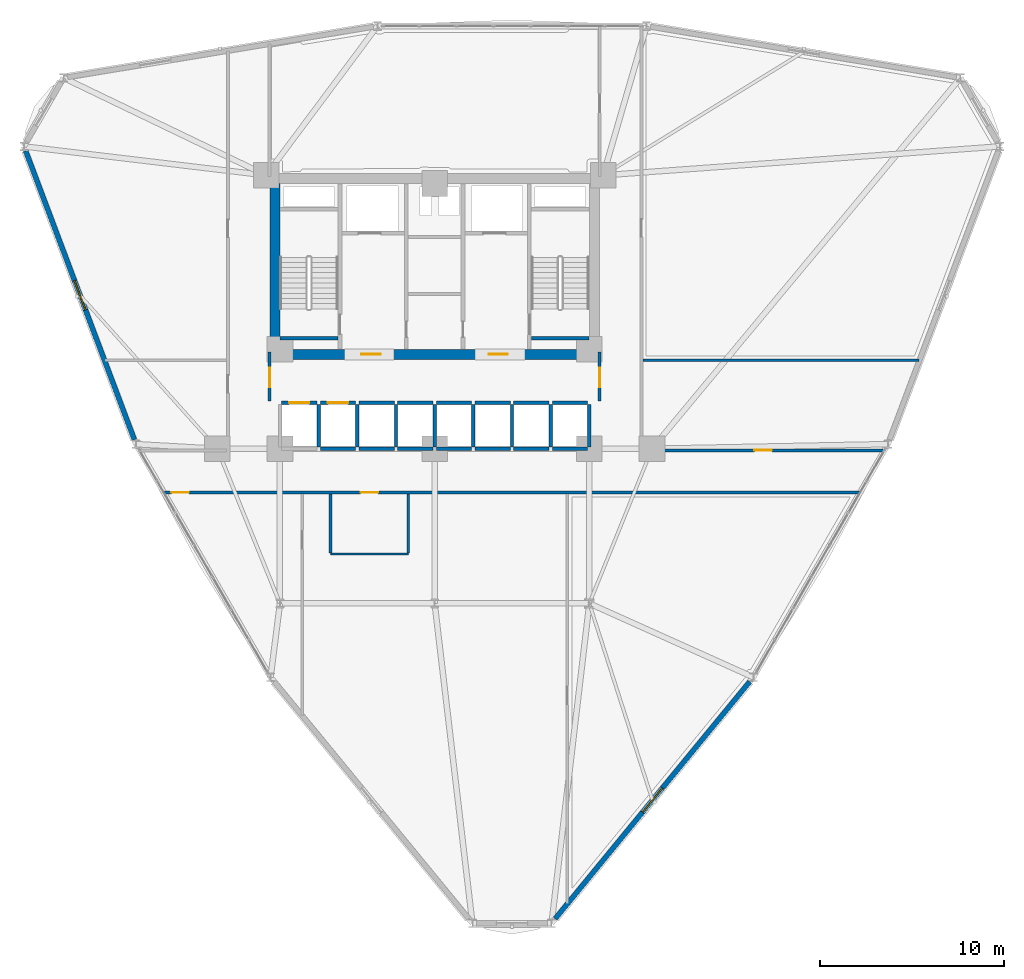
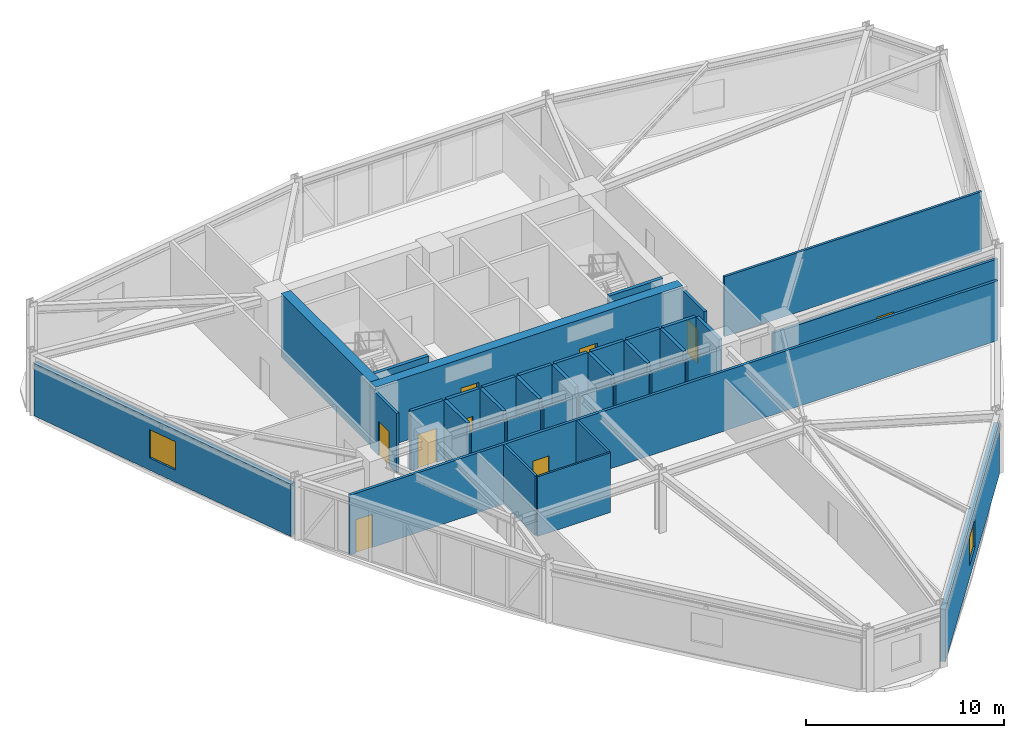
# One storey, part 14 of 20: 37 walls, 9 doors, 2 windows, 11 openings.
"""IFC4 building model written with IfcOpenShell, lengths in metres."""

from ifc_helpers import new_model, si_unit, derived_unit, direction, frame, frame_2d, origin, place, context, subcontext, project, spatial, rectangle, extrude, material, layer, layer_set, type_object, element, fill, save


model = new_model("IFC4")

# Units and contexts
model_context = context("Model", 3, precision=1e-05, world=origin(), true_north=direction((0.0, 1.0)))
body_context = subcontext(model_context, "Body", "Model", "MODEL_VIEW")
ifc_project = project(units=[si_unit("LENGTHUNIT", "METRE"), si_unit("AREAUNIT", "SQUARE_METRE"), si_unit("VOLUMEUNIT", "CUBIC_METRE"), si_unit("PLANEANGLEUNIT", "RADIAN"), si_unit("MASSUNIT", "GRAM", prefix="KILO"), derived_unit("THERMALTRANSMITTANCEUNIT", [(si_unit("POWERUNIT", "WATT"), 1), (si_unit("LENGTHUNIT", "METRE"), -2), (si_unit("THERMODYNAMICTEMPERATUREUNIT", "KELVIN"), -1)])], contexts=[model_context])

# Site, building, storey
site_placement = place(None, origin())
site = spatial("IfcSite", under=ifc_project, at=site_placement, CompositionType="ELEMENT")
building_placement = place(site_placement, origin())
building = spatial("IfcBuilding", under=site, at=building_placement, Name="Korsvarv Bourse and Concert Hall", CompositionType="ELEMENT")
storey_placement = place(building_placement, frame((0.0, 0.0, 91.199951171875)))
storey = spatial("IfcBuildingStorey", under=building, at=storey_placement, Name="L22", CompositionType="ELEMENT", Elevation=91.199951171875)

# Walls
ifc_material_1 = material(Name="Concrete C50/60", Category="concrete")
ifc_layer_1 = layer(ifc_material_1, 0.3798828125)
ifc_layer_set_1 = layer_set([ifc_layer_1], Name="Concrete C50/60")
wall_type_1 = type_object("IfcWallType", Name="WL-CORE-380", PredefinedType="SHEAR", material=ifc_layer_set_1)
for number, where, z_axis, x_axis, name in (
    (1, (27.610107421875, 38.39990234375, 0.0), (0.0, 0.0, 1.0), (1.0, 0.0, 0.0), "L22 stair shaft structural wall W-L22-ST1-S"),
    (2, (41.25, 38.39990234375, 0.0), (0.0, 0.0, 1.0), (1.0, 0.0, 0.0), "L22 stair shaft structural wall W-L22-ST2-S"),
):
    element("IfcWall", number, at=place(storey_placement, frame(where, z_axis=z_axis, x_axis=x_axis)), inside=storey, type_object=wall_type_1, Name=name, PredefinedType="SHEAR", context=body_context, shape_type="SweptSolid", body=[
        extrude(rectangle(XDim=3.139892578125, YDim=0.199951171875, at=frame_2d((1.56982421875, 0.0))), origin(), (0.0, 0.0, 1.0), 3.900146484375),
    ])

# Wall, openings, doors
ifc_material_2 = material(Name="Concrete C60/75", Category="concrete")
ifc_layer_2 = layer(ifc_material_2, 0.550048828125)
ifc_layer_set_2 = layer_set([ifc_layer_2], Name="Concrete C60/75")
wall_type_2 = type_object("IfcWallType", Name="WL-CORE-550", PredefinedType="SHEAR", material=ifc_layer_set_2)
wall_1_placement = place(storey_placement, frame((27.050048828125, 37.52490234375, 0.0), z_axis=(0.0, 0.0, 1.0), x_axis=(1.0, 0.0, 0.0)))
wall_1 = element("IfcWall", 3, at=wall_1_placement, inside=storey, type_object=wall_type_2, Name="L22 South Core Shear Wall", PredefinedType="SHEAR", context=body_context, shape_type="SweptSolid", body=[
    extrude(rectangle(XDim=17.89990234375, YDim=0.550048828125, at=frame_2d((8.949951171875, 0.0))), origin(), (0.0, 0.0, 1.0), 3.900146484375),
])
opening_1_placement = place(wall_1_placement, frame((4.97509765625, 0.0, 0.0)))
opening_1 = element("IfcOpeningElement", 4, at=opening_1_placement, cuts=wall_1, Name="Opening D-01", PredefinedType="OPENING", context=body_context, shape_type="SweptSolid", body=[
    extrude(rectangle(XDim=1.050048828125, YDim=2.10009765625, at=frame_2d((0.52490234375, 1.050048828125))), frame((0.0, 0.28515625, 0.0), z_axis=(0.0, -1.0, 0.0), x_axis=(1.0, 0.0, 0.0)), (0.0, 0.0, 1.0), 0.570068359375),
])
opening_2_placement = place(wall_1_placement, frame((11.875, 0.0, 0.0)))
opening_2 = element("IfcOpeningElement", 5, at=opening_2_placement, cuts=wall_1, Name="Opening D-01", PredefinedType="OPENING", context=body_context, shape_type="SweptSolid", body=[
    extrude(rectangle(XDim=1.050048828125, YDim=2.10009765625, at=frame_2d((0.52490234375, 1.050048828125))), frame((0.0, 0.28515625, 0.0), z_axis=(0.0, -1.0, 0.0), x_axis=(1.0, 0.0, 0.0)), (0.0, 0.0, 1.0), 0.570068359375),
])
ifc_material_3 = material(Name="Steel S355 fire door", Category="steel")
door_type_1 = type_object("IfcDoorType", Name="DR-FD60", OperationType="NOTDEFINED", PredefinedType="DOOR", material=ifc_material_3)
door_1_placement = place(opening_1_placement, frame((1.050048828125, 0.0, 0.0), z_axis=(0.0, 0.0, 1.0), x_axis=(-1.0, 0.0, 0.0)))
door_1 = element("IfcDoor", 6, at=door_1_placement, inside=storey, type_object=door_type_1, Name="L22 firefighting lobby fire door DR-L22-FFLW", OperationType="SINGLE_SWING_LEFT", OverallHeight=2.10009765625, OverallWidth=1.050048828125, PredefinedType="DOOR", context=body_context, shape_type="SweptSolid", body=[
    extrude(rectangle(XDim=1.050048828125, YDim=2.10009765625, at=frame_2d((0.52490234375, 1.050048828125))), frame((0.0, 0.02490234375, 0.0), z_axis=(0.0, -1.0, 0.0), x_axis=(1.0, 0.0, 0.0)), (0.0, 0.0, 1.0), 0.050048828125),
])
fill(opening_1, door_1)
door_2_placement = place(opening_2_placement, frame((1.050048828125, 0.0, 0.0), z_axis=(0.0, 0.0, 1.0), x_axis=(-1.0, 0.0, 0.0)))
door_2 = element("IfcDoor", 7, at=door_2_placement, inside=storey, type_object=door_type_1, Name="L22 firefighting lobby fire door DR-L22-FFLE", OperationType="SINGLE_SWING_RIGHT", OverallHeight=2.10009765625, OverallWidth=1.050048828125, PredefinedType="DOOR", context=body_context, shape_type="SweptSolid", body=[
    extrude(rectangle(XDim=1.050048828125, YDim=2.10009765625, at=frame_2d((0.52490234375, 1.050048828125))), frame((0.0, 0.02490234375, 0.0), z_axis=(0.0, -1.0, 0.0), x_axis=(1.0, 0.0, 0.0)), (0.0, 0.0, 1.0), 0.050048828125),
])
fill(opening_2, door_2)

# Wall
wall_2_placement = place(storey_placement, frame((27.324951171875, 37.800048828125, 0.0), z_axis=(0.0, 0.0, 1.0), x_axis=(0.0, 1.0, 0.0)))
element("IfcWall", 8, at=wall_2_placement, inside=storey, type_object=wall_type_2, Name="L22 West Core Shear Wall", PredefinedType="SHEAR", context=body_context, shape_type="SweptSolid", body=[
    extrude(rectangle(XDim=9.0, YDim=0.550048828125, at=frame_2d((4.5, 0.0))), origin(), (0.0, 0.0, 1.0), 3.900146484375),
])

# Wall, opening, window
ifc_material_4 = material(Name="Precast concrete C45/55 with fluted terracotta pier", Category="concrete")
ifc_layer_3 = layer(ifc_material_4, 0.280029296875)
ifc_layer_set_3 = layer_set([ifc_layer_3], Name="Precast concrete C45/55 with fluted terracotta pier")
wall_type_3 = type_object("IfcWallType", Name="WL-EXT-TC2", PredefinedType="SOLIDWALL", material=ifc_layer_set_3)
wall_3_placement = place(storey_placement, frame((13.7861328125, 48.577392578125, 0.0), z_axis=(0.0, 0.0, 1.0), x_axis=(0.352279020809, -0.935895021622, 0.0)))
wall_3 = element("IfcWall", 9, at=wall_3_placement, inside=storey, type_object=wall_type_3, Name="L22 terracotta exterior wall EW-L22-B06", PredefinedType="SOLIDWALL", context=body_context, shape_type="SweptSolid", body=[
    extrude(rectangle(XDim=16.7587890625, YDim=0.280029296875, at=frame_2d((8.37939453125, 0.0))), origin(), (0.0, 0.0, 1.0), 3.22998046875),
])
opening_3_placement = place(wall_3_placement, frame((7.529541015625, 0.0, 0.75)))
opening_3 = element("IfcOpeningElement", 10, at=opening_3_placement, cuts=wall_3, Name="Opening W-01", PredefinedType="OPENING", context=body_context, shape_type="SweptSolid", body=[
    extrude(rectangle(XDim=1.699951171875, YDim=1.75, at=frame_2d((0.85009765625, 0.875))), frame((0.0, 0.14990234375, 0.0), z_axis=(0.0, -1.0, 0.0), x_axis=(1.0, 0.0, 0.0)), (0.0, 0.0, 1.0), 0.300048828125),
])
ifc_material_5 = material(Name="Thermally broken aluminium frame with triple low-E glass", Category="glass")
window_type = type_object("IfcWindowType", Name="WIN-TW1", PartitioningType="SINGLE_PANEL", PredefinedType="WINDOW", material=ifc_material_5)
window_1_placement = place(opening_3_placement, origin())
window_1 = element("IfcWindow", 11, at=window_1_placement, inside=storey, type_object=window_type, Name="L22 punched facade window W-01", OverallHeight=1.75, OverallWidth=1.699951171875, PartitioningType="SINGLE_PANEL", PredefinedType="WINDOW", context=body_context, shape_type="SweptSolid", body=[
    extrude(rectangle(XDim=1.699951171875, YDim=1.75, at=frame_2d((0.85009765625, 0.875))), frame((0.0, 0.030029296875, 0.0), z_axis=(0.0, -1.0, 0.0), x_axis=(1.0, 0.0, 0.0)), (0.0, 0.0, 1.0), 0.06005859375),
])
fill(opening_3, window_1)

wall_4_placement = place(storey_placement, frame((42.549072265625, 6.87841796875, 0.0), z_axis=(0.0, 0.0, 1.0), x_axis=(0.634372560511, 0.77302746036, 0.0)))
wall_4 = element("IfcWall", 12, at=wall_4_placement, inside=storey, type_object=wall_type_3, Name="L22 terracotta exterior wall EW-L22-B10", PredefinedType="SOLIDWALL", context=body_context, shape_type="SweptSolid", body=[
    extrude(rectangle(XDim=16.64990234375, YDim=0.280029296875, at=frame_2d((8.324951171875, 0.0))), origin(), (0.0, 0.0, 1.0), 3.22998046875),
])
opening_4_placement = place(wall_4_placement, frame((7.47509765625, 0.0, 0.75)))
opening_4 = element("IfcOpeningElement", 13, at=opening_4_placement, cuts=wall_4, Name="Opening W-01", PredefinedType="OPENING", context=body_context, shape_type="SweptSolid", body=[
    extrude(rectangle(XDim=1.699951171875, YDim=1.75, at=frame_2d((0.85009765625, 0.875))), frame((0.0, 0.14990234375, 0.0), z_axis=(0.0, -1.0, 0.0), x_axis=(1.0, 0.0, 0.0)), (0.0, 0.0, 1.0), 0.300048828125),
])
window_2_placement = place(opening_4_placement, origin())
window_2 = element("IfcWindow", 14, at=window_2_placement, inside=storey, type_object=window_type, Name="L22 punched facade window W-01", OverallHeight=1.75, OverallWidth=1.699951171875, PartitioningType="SINGLE_PANEL", PredefinedType="WINDOW", context=body_context, shape_type="SweptSolid", body=[
    extrude(rectangle(XDim=1.699951171875, YDim=1.75, at=frame_2d((0.85009765625, 0.875))), frame((0.0, 0.030029296875, 0.0), z_axis=(0.0, -1.0, 0.0), x_axis=(1.0, 0.0, 0.0)), (0.0, 0.0, 1.0), 0.06005859375),
])
fill(opening_4, window_2)

# Wall, opening, door
ifc_material_6 = material(Name="Double-stud fire-rated acoustic partition", Category="gypsum")
ifc_layer_4 = layer(ifc_material_6, 0.159912109375)
ifc_layer_set_4 = layer_set([ifc_layer_4], Name="Double-stud fire-rated acoustic partition")
wall_type_4 = type_object("IfcWallType", Name="WL-INT-EI60", PredefinedType="PARTITIONING", material=ifc_layer_set_4)
wall_5_placement = place(storey_placement, frame((27.0400390625, 35.0, 0.0), z_axis=(0.0, 0.0, 1.0), x_axis=(0.0, 1.0, 0.0)))
wall_5 = element("IfcWall", 15, at=wall_5_placement, inside=storey, type_object=wall_type_4, Name="L22 interior partition wall W-L22-LOB-W", PredefinedType="PARTITIONING", context=body_context, shape_type="SweptSolid", body=[
    extrude(rectangle(XDim=2.64990234375, YDim=0.159912109375, at=frame_2d((1.324951171875, 0.0))), origin(), (0.0, 0.0, 1.0), 3.679931640625),
])
opening_5_placement = place(wall_5_placement, frame((0.75, 0.0, 0.0)))
opening_5 = element("IfcOpeningElement", 16, at=opening_5_placement, cuts=wall_5, Name="Opening D-01", PredefinedType="OPENING", context=body_context, shape_type="SweptSolid", body=[
    extrude(rectangle(XDim=1.050048828125, YDim=2.10009765625, at=frame_2d((0.52490234375, 1.050048828125))), frame((0.0, 0.08984375, 0.0), z_axis=(0.0, -1.0, 0.0), x_axis=(1.0, 0.0, 0.0)), (0.0, 0.0, 1.0), 0.179931640625),
])
door_3_placement = place(opening_5_placement, frame((1.050048828125, 0.0, 0.0), z_axis=(0.0, 0.0, 1.0), x_axis=(-1.0, 0.0, 0.0)))
door_3 = element("IfcDoor", 17, at=door_3_placement, inside=storey, type_object=door_type_1, Name="L22 interior door DR-L22-LOBW", OperationType="SINGLE_SWING_RIGHT", OverallHeight=2.10009765625, OverallWidth=1.050048828125, PredefinedType="DOOR", context=body_context, shape_type="SweptSolid", body=[
    extrude(rectangle(XDim=1.050048828125, YDim=2.10009765625, at=frame_2d((0.52490234375, 1.050048828125))), frame((0.0, 0.02490234375, 0.0), z_axis=(0.0, -1.0, 0.0), x_axis=(1.0, 0.0, 0.0)), (0.0, 0.0, 1.0), 0.050048828125),
])
fill(opening_5, door_3)

wall_6_placement = place(storey_placement, frame((44.9599609375, 35.0, 0.0), z_axis=(0.0, 0.0, 1.0), x_axis=(0.0, 1.0, 0.0)))
wall_6 = element("IfcWall", 18, at=wall_6_placement, inside=storey, type_object=wall_type_4, Name="L22 interior partition wall W-L22-LOB-E", PredefinedType="PARTITIONING", context=body_context, shape_type="SweptSolid", body=[
    extrude(rectangle(XDim=2.64990234375, YDim=0.159912109375, at=frame_2d((1.324951171875, 0.0))), origin(), (0.0, 0.0, 1.0), 3.679931640625),
])
opening_6_placement = place(wall_6_placement, frame((0.75, 0.0, 0.0)))
opening_6 = element("IfcOpeningElement", 19, at=opening_6_placement, cuts=wall_6, Name="Opening D-01", PredefinedType="OPENING", context=body_context, shape_type="SweptSolid", body=[
    extrude(rectangle(XDim=1.050048828125, YDim=2.10009765625, at=frame_2d((0.52490234375, 1.050048828125))), frame((0.0, 0.08984375, 0.0), z_axis=(0.0, -1.0, 0.0), x_axis=(1.0, 0.0, 0.0)), (0.0, 0.0, 1.0), 0.179931640625),
])
door_4_placement = place(opening_6_placement, origin())
door_4 = element("IfcDoor", 20, at=door_4_placement, inside=storey, type_object=door_type_1, Name="L22 interior door DR-L22-LOBE", OperationType="SINGLE_SWING_LEFT", OverallHeight=2.10009765625, OverallWidth=1.050048828125, PredefinedType="DOOR", context=body_context, shape_type="SweptSolid", body=[
    extrude(rectangle(XDim=1.050048828125, YDim=2.10009765625, at=frame_2d((0.52490234375, 1.050048828125))), frame((0.0, 0.02490234375, 0.0), z_axis=(0.0, -1.0, 0.0), x_axis=(1.0, 0.0, 0.0)), (0.0, 0.0, 1.0), 0.050048828125),
])
fill(opening_6, door_4)

# Wall, openings, doors
wall_7_placement = place(storey_placement, frame((21.317138671875, 30.02490234375, 0.0), z_axis=(0.0, 0.0, 1.0), x_axis=(1.0, 0.0, 0.0)))
wall_7 = element("IfcWall", 21, at=wall_7_placement, inside=storey, type_object=wall_type_4, Name="L22 interior partition wall W-L22-TCOR-01", PredefinedType="PARTITIONING", context=body_context, shape_type="SweptSolid", body=[
    extrude(rectangle(XDim=37.765625, YDim=0.159912109375, at=frame_2d((18.8828125, 0.0))), origin(), (0.0, 0.0, 1.0), 3.679931640625),
])
opening_7_placement = place(wall_7_placement, frame((10.667724609375, 0.0, 0.0)))
opening_7 = element("IfcOpeningElement", 22, at=opening_7_placement, cuts=wall_7, Name="Opening D-02", PredefinedType="OPENING", context=body_context, shape_type="SweptSolid", body=[
    extrude(rectangle(XDim=0.949951171875, YDim=2.050048828125, at=frame_2d((0.47509765625, 1.02490234375))), frame((0.0, 0.08984375, 0.0), z_axis=(0.0, -1.0, 0.0), x_axis=(1.0, 0.0, 0.0)), (0.0, 0.0, 1.0), 0.179931640625),
])
opening_8_placement = place(wall_7_placement, frame((0.3798828125, 0.0, 0.0)))
opening_8 = element("IfcOpeningElement", 23, at=opening_8_placement, cuts=wall_7, Name="Opening D-02", PredefinedType="OPENING", context=body_context, shape_type="SweptSolid", body=[
    extrude(rectangle(XDim=0.949951171875, YDim=2.050048828125, at=frame_2d((0.47509765625, 1.02490234375))), frame((0.0, 0.08984375, 0.0), z_axis=(0.0, -1.0, 0.0), x_axis=(1.0, 0.0, 0.0)), (0.0, 0.0, 1.0), 0.179931640625),
])
ifc_material_7 = material(Name="Timber and steel acoustic fire door", Category="wood")
door_type_2 = type_object("IfcDoorType", Name="DR-FD30", OperationType="NOTDEFINED", PredefinedType="DOOR", material=ifc_material_7)
door_5_placement = place(opening_7_placement, origin())
door_5 = element("IfcDoor", 24, at=door_5_placement, inside=storey, type_object=door_type_2, Name="L22 interior door DR-L22-TCOR-RWC", OperationType="SINGLE_SWING_RIGHT", OverallHeight=2.050048828125, OverallWidth=0.949951171875, PredefinedType="DOOR", context=body_context, shape_type="SweptSolid", body=[
    extrude(rectangle(XDim=0.949951171875, YDim=2.050048828125, at=frame_2d((0.47509765625, 1.02490234375))), frame((0.0, 0.02490234375, 0.0), z_axis=(0.0, -1.0, 0.0), x_axis=(1.0, 0.0, 0.0)), (0.0, 0.0, 1.0), 0.050048828125),
])
fill(opening_7, door_5)
door_6_placement = place(opening_8_placement, origin())
door_6 = element("IfcDoor", 25, at=door_6_placement, inside=storey, type_object=door_type_2, Name="L22 interior door DR-L22-TCOR-R023", OperationType="SINGLE_SWING_LEFT", OverallHeight=2.050048828125, OverallWidth=0.949951171875, PredefinedType="DOOR", context=body_context, shape_type="SweptSolid", body=[
    extrude(rectangle(XDim=0.949951171875, YDim=2.050048828125, at=frame_2d((0.47509765625, 1.02490234375))), frame((0.0, 0.02490234375, 0.0), z_axis=(0.0, -1.0, 0.0), x_axis=(1.0, 0.0, 0.0)), (0.0, 0.0, 1.0), 0.050048828125),
])
fill(opening_8, door_6)

# Wall, opening, door
wall_8_placement = place(storey_placement, frame((47.306884765625, 32.31494140625, 0.0), z_axis=(0.0, 0.0, 1.0), x_axis=(1.0, 0.0, 0.0)))
wall_8 = element("IfcWall", 26, at=wall_8_placement, inside=storey, type_object=wall_type_4, Name="L22 interior partition wall W-L22-TCOR-04", PredefinedType="PARTITIONING", context=body_context, shape_type="SweptSolid", body=[
    extrude(rectangle(XDim=13.09814453125, YDim=0.159912109375, at=frame_2d((6.549072265625, 0.0))), origin(), (0.0, 0.0, 1.0), 3.179931640625),
])
opening_9_placement = place(wall_8_placement, frame((6.059814453125, 0.0, 0.0)))
opening_9 = element("IfcOpeningElement", 27, at=opening_9_placement, cuts=wall_8, Name="Opening D-02", PredefinedType="OPENING", context=body_context, shape_type="SweptSolid", body=[
    extrude(rectangle(XDim=0.949951171875, YDim=2.050048828125, at=frame_2d((0.47509765625, 1.02490234375))), frame((0.0, 0.08984375, 0.0), z_axis=(0.0, -1.0, 0.0), x_axis=(1.0, 0.0, 0.0)), (0.0, 0.0, 1.0), 0.179931640625),
])
door_7_placement = place(opening_9_placement, origin())
door_7 = element("IfcDoor", 28, at=door_7_placement, inside=storey, type_object=door_type_2, Name="L22 interior door DR-L22-TCOR-R061", OperationType="SINGLE_SWING_LEFT", OverallHeight=2.050048828125, OverallWidth=0.949951171875, PredefinedType="DOOR", context=body_context, shape_type="SweptSolid", body=[
    extrude(rectangle(XDim=0.949951171875, YDim=2.050048828125, at=frame_2d((0.47509765625, 1.02490234375))), frame((0.0, 0.02490234375, 0.0), z_axis=(0.0, -1.0, 0.0), x_axis=(1.0, 0.0, 0.0)), (0.0, 0.0, 1.0), 0.050048828125),
])
fill(opening_9, door_7)

ifc_material_8 = material(Name="Gypsum-clad autoclaved concrete shaft wall C30/37", Category="concrete")
ifc_layer_5 = layer(ifc_material_8, 0.179931640625)
ifc_layer_set_5 = layer_set([ifc_layer_5], Name="Gypsum-clad autoclaved concrete shaft wall C30/37")
wall_type_5 = type_object("IfcWallType", Name="WL-INT-EI90", PredefinedType="PARTITIONING", material=ifc_layer_set_5)
wall_9_placement = place(storey_placement, frame((27.68994140625, 34.89990234375, 0.0), z_axis=(0.0, 0.0, 1.0), x_axis=(1.0, 0.0, 0.0)))
wall_9 = element("IfcWall", 29, at=wall_9_placement, inside=storey, type_object=wall_type_5, Name="L22 interior partition wall W-L22-SHFN-PL1", PredefinedType="PARTITIONING", context=body_context, shape_type="SweptSolid", body=[
    extrude(rectangle(XDim=1.920166015625, YDim=0.179931640625, at=frame_2d((0.9599609375, 0.0))), origin(), (0.0, 0.0, 1.0), 3.679931640625),
])
opening_10_placement = place(wall_9_placement, frame((0.409912109375, 0.0, 0.0)))
opening_10 = element("IfcOpeningElement", 30, at=opening_10_placement, cuts=wall_9, Name="Opening LD-2", PredefinedType="OPENING", context=body_context, shape_type="SweptSolid", body=[
    extrude(rectangle(XDim=1.10009765625, YDim=2.10009765625, at=frame_2d((0.550048828125, 1.050048828125))), frame((0.0, 0.10009765625, 0.0), z_axis=(0.0, -1.0, 0.0), x_axis=(1.0, 0.0, 0.0)), (0.0, 0.0, 1.0), 0.199951171875),
])
ifc_material_9 = material(Name="Brushed stainless Steel S355 lift landing door", Category="steel")
door_type_3 = type_object("IfcDoorType", Name="DR-LIFT-P", OperationType="DOUBLE_DOOR_SLIDING", PredefinedType="DOOR", material=ifc_material_9)
door_8_placement = place(opening_10_placement, origin())
door_8 = element("IfcDoor", 31, at=door_8_placement, inside=storey, type_object=door_type_3, Name="L22 lift sliding landing door LD-L22-PL1", OperationType="DOUBLE_DOOR_SLIDING", OverallHeight=2.10009765625, OverallWidth=1.10009765625, PredefinedType="DOOR", context=body_context, shape_type="SweptSolid", body=[
    extrude(rectangle(XDim=1.10009765625, YDim=2.10009765625, at=frame_2d((0.550048828125, 1.050048828125))), frame((0.0, 0.02490234375, 0.0), z_axis=(0.0, -1.0, 0.0), x_axis=(1.0, 0.0, 0.0)), (0.0, 0.0, 1.0), 0.050048828125),
])
fill(opening_10, door_8)

wall_10_placement = place(storey_placement, frame((29.7900390625, 34.89990234375, 0.0), z_axis=(0.0, 0.0, 1.0), x_axis=(1.0, 0.0, 0.0)))
wall_10 = element("IfcWall", 32, at=wall_10_placement, inside=storey, type_object=wall_type_5, Name="L22 interior partition wall W-L22-SHFN-PL2", PredefinedType="PARTITIONING", context=body_context, shape_type="SweptSolid", body=[
    extrude(rectangle(XDim=1.919921875, YDim=0.179931640625, at=frame_2d((0.9599609375, 0.0))), origin(), (0.0, 0.0, 1.0), 3.679931640625),
])
opening_11_placement = place(wall_10_placement, frame((0.409912109375, 0.0, 0.0)))
opening_11 = element("IfcOpeningElement", 33, at=opening_11_placement, cuts=wall_10, Name="Opening LD-2", PredefinedType="OPENING", context=body_context, shape_type="SweptSolid", body=[
    extrude(rectangle(XDim=1.10009765625, YDim=2.10009765625, at=frame_2d((0.550048828125, 1.050048828125))), frame((0.0, 0.10009765625, 0.0), z_axis=(0.0, -1.0, 0.0), x_axis=(1.0, 0.0, 0.0)), (0.0, 0.0, 1.0), 0.199951171875),
])
door_9_placement = place(opening_11_placement, origin())
door_9 = element("IfcDoor", 34, at=door_9_placement, inside=storey, type_object=door_type_3, Name="L22 lift sliding landing door LD-L22-PL2", OperationType="DOUBLE_DOOR_SLIDING", OverallHeight=2.10009765625, OverallWidth=1.10009765625, PredefinedType="DOOR", context=body_context, shape_type="SweptSolid", body=[
    extrude(rectangle(XDim=1.10009765625, YDim=2.10009765625, at=frame_2d((0.550048828125, 1.050048828125))), frame((0.0, 0.02490234375, 0.0), z_axis=(0.0, -1.0, 0.0), x_axis=(1.0, 0.0, 0.0)), (0.0, 0.0, 1.0), 0.050048828125),
])
fill(opening_11, door_9)

# Walls
wall_11_placement = place(storey_placement, frame((29.7900390625, 32.39990234375, 0.0), z_axis=(0.0, 0.0, 1.0), x_axis=(1.0, 0.0, 0.0)))
element("IfcWall", 35, at=wall_11_placement, inside=storey, type_object=wall_type_5, Name="L22 interior partition wall W-L22-SHFS-PL2", PredefinedType="PARTITIONING", context=body_context, shape_type="SweptSolid", body=[
    extrude(rectangle(XDim=1.919921875, YDim=0.179931640625, at=frame_2d((0.9599609375, 0.0))), origin(), (0.0, 0.0, 1.0), 3.179931640625),
])
wall_12_placement = place(storey_placement, frame((29.699951171875, 32.489990234375, 0.0), z_axis=(0.0, 0.0, 1.0), x_axis=(0.0, 1.0, 0.0)))
element("IfcWall", 36, at=wall_12_placement, inside=storey, type_object=wall_type_5, Name="L22 interior partition wall W-L22-SHFW-PL2", PredefinedType="PARTITIONING", context=body_context, shape_type="SweptSolid", body=[
    extrude(rectangle(XDim=2.320068359375, YDim=0.179931640625, at=frame_2d((1.16015625, 0.0))), origin(), (0.0, 0.0, 1.0), 3.679931640625),
])
wall_13_placement = place(storey_placement, frame((31.889892578125, 34.89990234375, 0.0), z_axis=(0.0, 0.0, 1.0), x_axis=(1.0, 0.0, 0.0)))
element("IfcWall", 37, at=wall_13_placement, inside=storey, type_object=wall_type_5, Name="L22 interior partition wall W-L22-SHFN-PM1", PredefinedType="PARTITIONING", context=body_context, shape_type="SweptSolid", body=[
    extrude(rectangle(XDim=1.920166015625, YDim=0.179931640625, at=frame_2d((0.9599609375, 0.0))), origin(), (0.0, 0.0, 1.0), 3.679931640625),
])
wall_14_placement = place(storey_placement, frame((31.889892578125, 32.39990234375, 0.0), z_axis=(0.0, 0.0, 1.0), x_axis=(1.0, 0.0, 0.0)))
element("IfcWall", 38, at=wall_14_placement, inside=storey, type_object=wall_type_5, Name="L22 interior partition wall W-L22-SHFS-PM1", PredefinedType="PARTITIONING", context=body_context, shape_type="SweptSolid", body=[
    extrude(rectangle(XDim=1.920166015625, YDim=0.179931640625, at=frame_2d((0.9599609375, 0.0))), origin(), (0.0, 0.0, 1.0), 3.179931640625),
])
wall_15_placement = place(storey_placement, frame((31.800048828125, 32.489990234375, 0.0), z_axis=(0.0, 0.0, 1.0), x_axis=(0.0, 1.0, 0.0)))
element("IfcWall", 39, at=wall_15_placement, inside=storey, type_object=wall_type_5, Name="L22 interior partition wall W-L22-SHFW-PM1", PredefinedType="PARTITIONING", context=body_context, shape_type="SweptSolid", body=[
    extrude(rectangle(XDim=2.320068359375, YDim=0.179931640625, at=frame_2d((1.16015625, 0.0))), origin(), (0.0, 0.0, 1.0), 3.679931640625),
])
wall_16_placement = place(storey_placement, frame((33.989990234375, 34.89990234375, 0.0), z_axis=(0.0, 0.0, 1.0), x_axis=(1.0, 0.0, 0.0)))
element("IfcWall", 40, at=wall_16_placement, inside=storey, type_object=wall_type_5, Name="L22 interior partition wall W-L22-SHFN-PM2", PredefinedType="PARTITIONING", context=body_context, shape_type="SweptSolid", body=[
    extrude(rectangle(XDim=1.919921875, YDim=0.179931640625, at=frame_2d((0.9599609375, 0.0))), origin(), (0.0, 0.0, 1.0), 3.679931640625),
])
wall_17_placement = place(storey_placement, frame((33.989990234375, 32.39990234375, 0.0), z_axis=(0.0, 0.0, 1.0), x_axis=(1.0, 0.0, 0.0)))
element("IfcWall", 41, at=wall_17_placement, inside=storey, type_object=wall_type_5, Name="L22 interior partition wall W-L22-SHFS-PM2", PredefinedType="PARTITIONING", context=body_context, shape_type="SweptSolid", body=[
    extrude(rectangle(XDim=1.919921875, YDim=0.179931640625, at=frame_2d((0.9599609375, 0.0))), origin(), (0.0, 0.0, 1.0), 3.179931640625),
])
wall_18_placement = place(storey_placement, frame((33.89990234375, 32.489990234375, 0.0), z_axis=(0.0, 0.0, 1.0), x_axis=(0.0, 1.0, 0.0)))
element("IfcWall", 42, at=wall_18_placement, inside=storey, type_object=wall_type_5, Name="L22 interior partition wall W-L22-SHFW-PM2", PredefinedType="PARTITIONING", context=body_context, shape_type="SweptSolid", body=[
    extrude(rectangle(XDim=2.320068359375, YDim=0.179931640625, at=frame_2d((1.16015625, 0.0))), origin(), (0.0, 0.0, 1.0), 3.679931640625),
])
wall_19_placement = place(storey_placement, frame((36.090087890625, 34.89990234375, 0.0), z_axis=(0.0, 0.0, 1.0), x_axis=(1.0, 0.0, 0.0)))
element("IfcWall", 43, at=wall_19_placement, inside=storey, type_object=wall_type_5, Name="L22 interior partition wall W-L22-SHFN-PH1", PredefinedType="PARTITIONING", context=body_context, shape_type="SweptSolid", body=[
    extrude(rectangle(XDim=1.919921875, YDim=0.179931640625, at=frame_2d((0.9599609375, 0.0))), origin(), (0.0, 0.0, 1.0), 3.679931640625),
])
wall_20_placement = place(storey_placement, frame((36.090087890625, 32.39990234375, 0.0), z_axis=(0.0, 0.0, 1.0), x_axis=(1.0, 0.0, 0.0)))
element("IfcWall", 44, at=wall_20_placement, inside=storey, type_object=wall_type_5, Name="L22 interior partition wall W-L22-SHFS-PH1", PredefinedType="PARTITIONING", context=body_context, shape_type="SweptSolid", body=[
    extrude(rectangle(XDim=1.919921875, YDim=0.179931640625, at=frame_2d((0.9599609375, 0.0))), origin(), (0.0, 0.0, 1.0), 3.179931640625),
])
wall_21_placement = place(storey_placement, frame((36.0, 32.489990234375, 0.0), z_axis=(0.0, 0.0, 1.0), x_axis=(0.0, 1.0, 0.0)))
element("IfcWall", 45, at=wall_21_placement, inside=storey, type_object=wall_type_5, Name="L22 interior partition wall W-L22-SHFW-PH1", PredefinedType="PARTITIONING", context=body_context, shape_type="SweptSolid", body=[
    extrude(rectangle(XDim=2.320068359375, YDim=0.179931640625, at=frame_2d((1.16015625, 0.0))), origin(), (0.0, 0.0, 1.0), 3.679931640625),
])
wall_22_placement = place(storey_placement, frame((38.18994140625, 34.89990234375, 0.0), z_axis=(0.0, 0.0, 1.0), x_axis=(1.0, 0.0, 0.0)))
element("IfcWall", 46, at=wall_22_placement, inside=storey, type_object=wall_type_5, Name="L22 interior partition wall W-L22-SHFN-PH2", PredefinedType="PARTITIONING", context=body_context, shape_type="SweptSolid", body=[
    extrude(rectangle(XDim=1.920166015625, YDim=0.179931640625, at=frame_2d((0.9599609375, 0.0))), origin(), (0.0, 0.0, 1.0), 3.679931640625),
])
wall_23_placement = place(storey_placement, frame((38.18994140625, 32.39990234375, 0.0), z_axis=(0.0, 0.0, 1.0), x_axis=(1.0, 0.0, 0.0)))
element("IfcWall", 47, at=wall_23_placement, inside=storey, type_object=wall_type_5, Name="L22 interior partition wall W-L22-SHFS-PH2", PredefinedType="PARTITIONING", context=body_context, shape_type="SweptSolid", body=[
    extrude(rectangle(XDim=1.920166015625, YDim=0.179931640625, at=frame_2d((0.9599609375, 0.0))), origin(), (0.0, 0.0, 1.0), 3.179931640625),
])
wall_24_placement = place(storey_placement, frame((38.10009765625, 32.489990234375, 0.0), z_axis=(0.0, 0.0, 1.0), x_axis=(0.0, 1.0, 0.0)))
element("IfcWall", 48, at=wall_24_placement, inside=storey, type_object=wall_type_5, Name="L22 interior partition wall W-L22-SHFW-PH2", PredefinedType="PARTITIONING", context=body_context, shape_type="SweptSolid", body=[
    extrude(rectangle(XDim=2.320068359375, YDim=0.179931640625, at=frame_2d((1.16015625, 0.0))), origin(), (0.0, 0.0, 1.0), 3.679931640625),
])
wall_25_placement = place(storey_placement, frame((40.2900390625, 34.89990234375, 0.0), z_axis=(0.0, 0.0, 1.0), x_axis=(1.0, 0.0, 0.0)))
element("IfcWall", 49, at=wall_25_placement, inside=storey, type_object=wall_type_5, Name="L22 interior partition wall W-L22-SHFN-PO1", PredefinedType="PARTITIONING", context=body_context, shape_type="SweptSolid", body=[
    extrude(rectangle(XDim=1.919921875, YDim=0.179931640625, at=frame_2d((0.9599609375, 0.0))), origin(), (0.0, 0.0, 1.0), 3.679931640625),
])
wall_26_placement = place(storey_placement, frame((40.2900390625, 32.39990234375, 0.0), z_axis=(0.0, 0.0, 1.0), x_axis=(1.0, 0.0, 0.0)))
element("IfcWall", 50, at=wall_26_placement, inside=storey, type_object=wall_type_5, Name="L22 interior partition wall W-L22-SHFS-PO1", PredefinedType="PARTITIONING", context=body_context, shape_type="SweptSolid", body=[
    extrude(rectangle(XDim=1.919921875, YDim=0.179931640625, at=frame_2d((0.9599609375, 0.0))), origin(), (0.0, 0.0, 1.0), 3.179931640625),
])
wall_27_placement = place(storey_placement, frame((40.199951171875, 32.489990234375, 0.0), z_axis=(0.0, 0.0, 1.0), x_axis=(0.0, 1.0, 0.0)))
element("IfcWall", 51, at=wall_27_placement, inside=storey, type_object=wall_type_5, Name="L22 interior partition wall W-L22-SHFW-PO1", PredefinedType="PARTITIONING", context=body_context, shape_type="SweptSolid", body=[
    extrude(rectangle(XDim=2.320068359375, YDim=0.179931640625, at=frame_2d((1.16015625, 0.0))), origin(), (0.0, 0.0, 1.0), 3.679931640625),
])
wall_28_placement = place(storey_placement, frame((42.389892578125, 34.89990234375, 0.0), z_axis=(0.0, 0.0, 1.0), x_axis=(1.0, 0.0, 0.0)))
element("IfcWall", 52, at=wall_28_placement, inside=storey, type_object=wall_type_5, Name="L22 interior partition wall W-L22-SHFN-PO2", PredefinedType="PARTITIONING", context=body_context, shape_type="SweptSolid", body=[
    extrude(rectangle(XDim=1.920166015625, YDim=0.179931640625, at=frame_2d((0.9599609375, 0.0))), origin(), (0.0, 0.0, 1.0), 3.679931640625),
])
wall_29_placement = place(storey_placement, frame((42.389892578125, 32.39990234375, 0.0), z_axis=(0.0, 0.0, 1.0), x_axis=(1.0, 0.0, 0.0)))
element("IfcWall", 53, at=wall_29_placement, inside=storey, type_object=wall_type_5, Name="L22 interior partition wall W-L22-SHFS-PO2", PredefinedType="PARTITIONING", context=body_context, shape_type="SweptSolid", body=[
    extrude(rectangle(XDim=1.920166015625, YDim=0.179931640625, at=frame_2d((0.9599609375, 0.0))), origin(), (0.0, 0.0, 1.0), 3.179931640625),
])
for number, where, z_axis, x_axis, name in (
    (54, (42.300048828125, 32.489990234375, 0.0), (0.0, 0.0, 1.0), (0.0, 1.0, 0.0), "L22 interior partition wall W-L22-SHFW-PO2"),
    (55, (44.39990234375, 32.489990234375, 0.0), (0.0, 0.0, 1.0), (0.0, 1.0, 0.0), "L22 interior partition wall W-L22-SHFE-END"),
):
    element("IfcWall", number, at=place(storey_placement, frame(where, z_axis=z_axis, x_axis=x_axis)), inside=storey, type_object=wall_type_5, Name=name, PredefinedType="PARTITIONING", context=body_context, shape_type="SweptSolid", body=[
        extrude(rectangle(XDim=2.320068359375, YDim=0.179931640625, at=frame_2d((1.16015625, 0.0))), origin(), (0.0, 0.0, 1.0), 3.679931640625),
    ])
ifc_material_10 = material(Name="Demountable acoustic glass and aluminium dealing partition", Category="aluminium")
ifc_layer_6 = layer(ifc_material_10, 0.110107421875)
ifc_layer_set_6 = layer_set([ifc_layer_6], Name="Demountable acoustic glass and aluminium dealing partition")
wall_type_6 = type_object("IfcWallType", Name="WL-INT-MOV", PredefinedType="MOVABLE", material=ifc_layer_set_6)
wall_30_placement = place(storey_placement, frame((30.340087890625, 26.675048828125, 0.0), z_axis=(0.0, 0.0, 1.0), x_axis=(1.0, 0.0, 0.0)))
element("IfcWall", 56, at=wall_30_placement, inside=storey, type_object=wall_type_6, Name="L22 interior partition wall W-L22-TCOR-12", PredefinedType="MOVABLE", context=body_context, shape_type="SweptSolid", body=[
    extrude(rectangle(XDim=4.239990234375, YDim=0.110107421875, at=frame_2d((2.1201171875, 0.0))), origin(), (0.0, 0.0, 1.0), 3.679931640625),
])
ifc_material_11 = material(Name="Insulated steel-stud office acoustic partition", Category="gypsum")
ifc_layer_7 = layer(ifc_material_11, 0.139892578125)
ifc_layer_set_7 = layer_set([ifc_layer_7], Name="Insulated steel-stud office acoustic partition")
wall_type_7 = type_object("IfcWallType", Name="WL-INT-P1", PredefinedType="PARTITIONING", material=ifc_layer_set_7)
wall_31_placement = place(storey_placement, frame((47.306884765625, 37.205078125, 0.0), z_axis=(0.0, 0.0, 1.0), x_axis=(1.0, 0.0, 0.0)))
element("IfcWall", 57, at=wall_31_placement, inside=storey, type_object=wall_type_7, Name="L22 interior partition wall W-L22-TCOR-09", PredefinedType="PARTITIONING", context=body_context, shape_type="SweptSolid", body=[
    extrude(rectangle(XDim=15.006103515625, YDim=0.139892578125, at=frame_2d((7.5029296875, 0.0))), origin(), (0.0, 0.0, 1.0), 3.679931640625),
])
for number, where, z_axis, x_axis, name in (
    (58, (34.574951171875, 26.7470703125, 0.0), (0.0, 0.0, 1.0), (0.0, 1.0, 0.0), "L22 interior partition wall W-L22-TCOR-13"),
    (59, (30.344970703125, 26.7470703125, 0.0), (0.0, 0.0, 1.0), (0.0, 1.0, 0.0), "L22 interior partition wall W-L22-TCOR-14"),
):
    element("IfcWall", number, at=place(storey_placement, frame(where, z_axis=z_axis, x_axis=x_axis)), inside=storey, type_object=wall_type_7, Name=name, PredefinedType="PARTITIONING", context=body_context, shape_type="SweptSolid", body=[
        extrude(rectangle(XDim=3.196044921875, YDim=0.139892578125, at=frame_2d((1.59814453125, 0.0))), origin(), (0.0, 0.0, 1.0), 3.679931640625),
    ])

save(model, "model.ifc")
